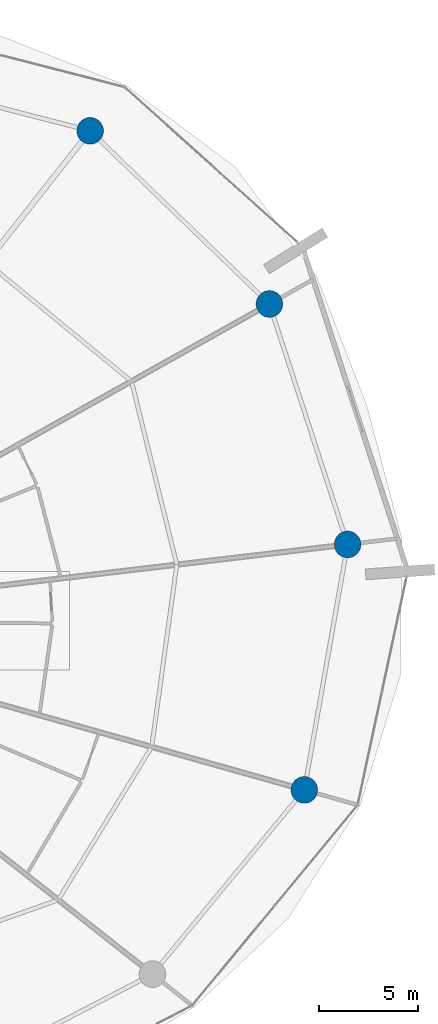
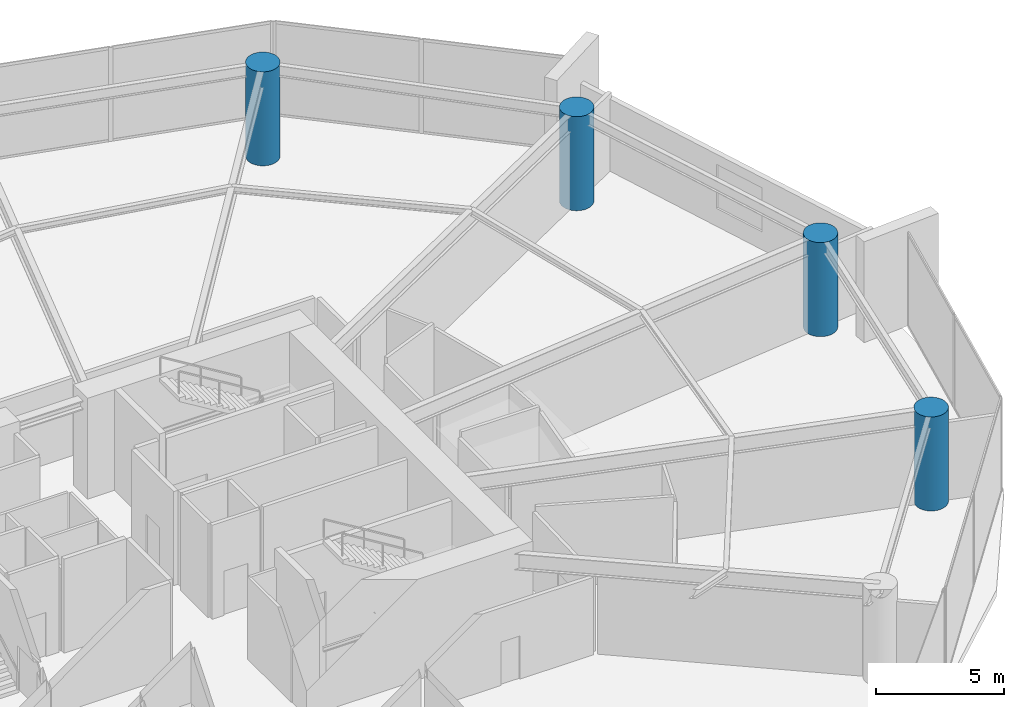
# One storey, part 6 of 22: 4 columns.
"""IFC4 building model written with IfcOpenShell, lengths in metres."""

from ifc_helpers import new_model, si_unit, direction, frame, origin, origin_2d, place, context, subcontext, project, spatial, circle, extrude, material, material_profile, profile_set, type_object, element, save


model = new_model("IFC4")

# Units and contexts
model_context = context("Model", 3, precision=1e-05, world=origin(), true_north=direction((0.0, 1.0)))
body_context = subcontext(model_context, "Body", "Model", "MODEL_VIEW")
ifc_project = project(units=[si_unit("LENGTHUNIT", "METRE"), si_unit("AREAUNIT", "SQUARE_METRE"), si_unit("VOLUMEUNIT", "CUBIC_METRE"), si_unit("PLANEANGLEUNIT", "RADIAN"), si_unit("MASSUNIT", "GRAM", prefix="KILO")], contexts=[model_context])

# Site, building, storey
site_placement = place(None, origin())
site = spatial("IfcSite", under=ifc_project, at=site_placement, CompositionType="ELEMENT")
building_placement = place(site_placement, origin())
building = spatial("IfcBuilding", under=site, at=building_placement, Name="Kazma Halo Residences", CompositionType="ELEMENT")
storey_placement = place(building_placement, frame((0.0, 0.0, 12.0)))
storey = spatial("IfcBuildingStorey", under=building, at=storey_placement, Name="L02", CompositionType="ELEMENT", Elevation=12.0)

# Columns
ifc_material = material(Name="Concrete C80/95", Category="concrete")
ifc_material_profile = material_profile(ifc_material, circle(Radius=0.675048828125, at=origin_2d()), Name="CIRC1350")
ifc_profile_set = profile_set([ifc_material_profile], Name="Concrete C80/95")
column_type = type_object("IfcColumnType", Name="COL-PERIM-1350", PredefinedType="COLUMN", material=ifc_profile_set)
for number, where, z_axis, x_axis, name in (
    (1, (76.6328125, 58.03515625, 0.0), (0.0, 0.0, 1.0), (1.0, 0.0, 0.0), "L02 perimeter ring column P01"),
    (2, (67.55322265625, 66.80322265625, 0.0), (0.0, 0.0, 1.0), (1.0, 0.0, 0.0), "L02 perimeter ring column P02"),
    (3, (78.397705078125, 33.427001953125, 0.0), (0.0, 0.0, 1.0), (1.0, 0.0, 0.0), "L02 perimeter ring column P15"),
    (4, (80.589599609375, 45.857177734375, 0.0), (0.0, 0.0, 1.0), (1.0, 0.0, 0.0), "L02 perimeter ring column P16"),
):
    element("IfcColumn", number, at=place(storey_placement, frame(where, z_axis=z_axis, x_axis=x_axis)), inside=storey, type_object=column_type, Name=name, PredefinedType="COLUMN", context=body_context, shape_type="SweptSolid", body=[
        extrude(circle(Radius=0.675048828125, at=origin_2d()), origin(), (0.0, 0.0, 1.0), 4.47998046875),
    ])

save(model, "model.ifc")
